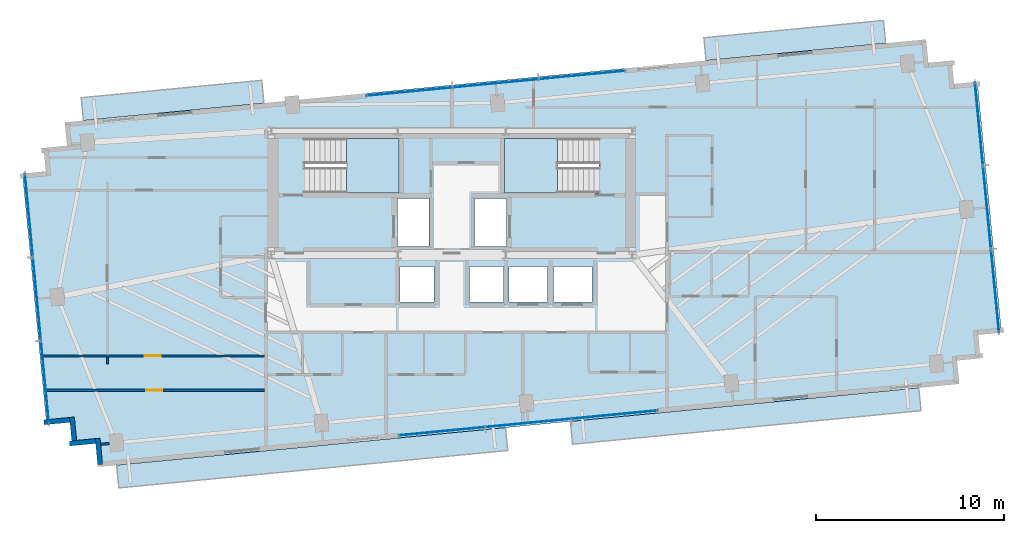
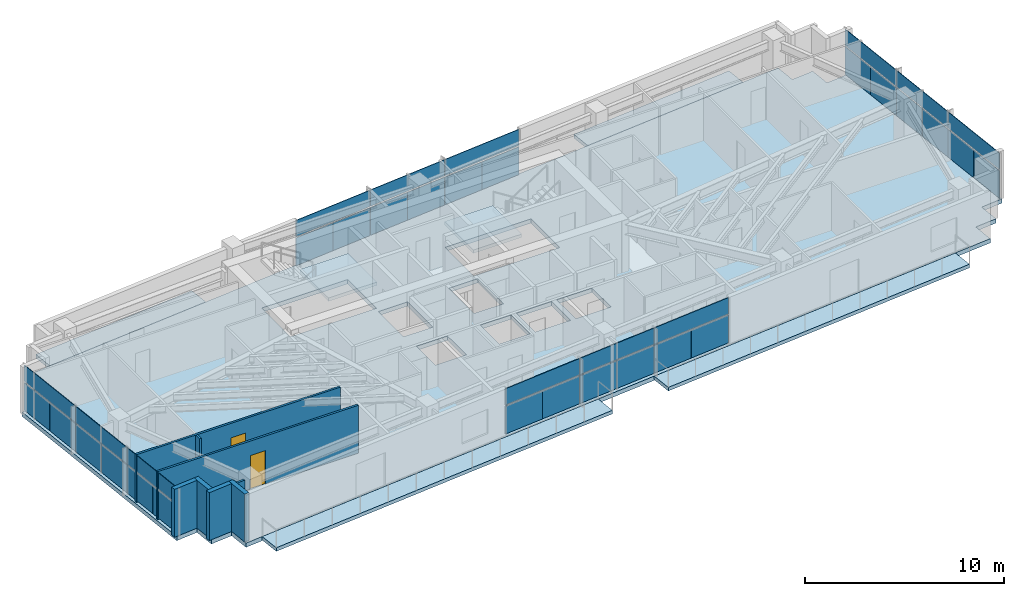
# One storey, part 12 of 18: 36 plates, 8 walls, 7 slabs, 2 doors, 2 openings, 6 elements without a shape of their own.
"""IFC4 building model written with IfcOpenShell, lengths in metres."""

import ifcopenshell
import ifcopenshell.guid

model = None  # the IFC model being written
_history = None  # IfcOwnerHistory: only IFC2X3 demands one
_inside = {}  # id of a spatial element -> (the spatial element, [elements in it])
_under = {}  # id of a project, library or spatial element -> (it, [spatial elements below it])
_declared = {}  # id of a project -> (the project, [libraries it declares])
_typed = {}  # id of a type object -> (the type object, [elements of that type])
_made_of = {}  # id of a material, layer set ... -> (it, [elements and type objects made of it])


def new_model(schema):
    """Start an empty IFC model of exactly this schema.

    Asked for "IFC4X3", IfcOpenShell would pick the latest addendum, in which some entities
    have other attributes; the version numbers below select the first issue.
    IFC2X3 requires an IfcOwnerHistory on every rooted entity: one is made here for all.
    """
    global model, _history
    if schema == "IFC4X3":
        model = ifcopenshell.file(schema_version=(4, 3, 0, 0))
    else:
        model = ifcopenshell.file(schema=schema)
    _inside.clear()
    _under.clear()
    _declared.clear()
    _typed.clear()
    _made_of.clear()
    _history = None
    if model.schema == "IFC2X3":
        org = make("IfcOrganization", Name="unknown")
        user = make(
            "IfcPersonAndOrganization",
            ThePerson=make("IfcPerson", FamilyName="unknown"),
            TheOrganization=org,
        )
        app = make(
            "IfcApplication",
            ApplicationDeveloper=org,
            Version="unknown",
            ApplicationFullName="unknown",
            ApplicationIdentifier="unknown",
        )
        _history = make(
            "IfcOwnerHistory",
            OwningUser=user,
            OwningApplication=app,
            ChangeAction="ADDED",
            CreationDate=0,
        )
    return model


def make(cls, **values):
    """One entity of the class cls with the attributes given. An attribute that is None is left unset."""
    return model.create_entity(
        cls, **{name: value for name, value in values.items() if value is not None}
    )


def rooted(cls, **values):
    """An entity with a GlobalId (a new one), such as an element, a storey or a relation."""
    return make(cls, GlobalId=ifcopenshell.guid.new(), OwnerHistory=_history, **values)


def si_unit(unit_type, name, prefix=None):
    """IfcSIUnit, for example si_unit("LENGTHUNIT", "METRE", prefix="MILLI")."""
    return make("IfcSIUnit", UnitType=unit_type, Prefix=prefix, Name=name)


def assignment(units):
    """IfcUnitAssignment: the units of a project."""
    return None if units is None else make("IfcUnitAssignment", Units=units)


def point(xyz):
    """IfcCartesianPoint."""
    return None if xyz is None else make("IfcCartesianPoint", Coordinates=xyz)


def direction(xyz):
    """IfcDirection."""
    return None if xyz is None else make("IfcDirection", DirectionRatios=xyz)


def frame(location, z_axis=None, x_axis=None):
    """IfcAxis2Placement3D, a coordinate frame: its origin and axes. An axis left out is left unset."""
    return make(
        "IfcAxis2Placement3D",
        Location=point(location),
        Axis=direction(z_axis),
        RefDirection=direction(x_axis),
    )


def frame_2d(location, x_axis=None):
    """IfcAxis2Placement2D, a coordinate frame in the plane: its origin and x axis."""
    return make(
        "IfcAxis2Placement2D", Location=point(location), RefDirection=direction(x_axis)
    )


def origin():
    """The frame at (0, 0, 0) with its axes left unset."""
    return frame((0.0, 0.0, 0.0))


def origin_2d():
    """The frame at (0, 0) in the plane with its x axis left unset."""
    return frame_2d((0.0, 0.0))


def place(relative_to, where):
    """IfcLocalPlacement: puts the frame where relative to a parent placement (None: the world)."""
    return make(
        "IfcLocalPlacement", PlacementRelTo=relative_to, RelativePlacement=where
    )


def context(
    kind, dimensions, precision=None, world=None, true_north=None, identifier=None
):
    """IfcGeometricRepresentationContext, for example the 3D "Model" context."""
    return make(
        "IfcGeometricRepresentationContext",
        ContextIdentifier=identifier,
        ContextType=kind,
        CoordinateSpaceDimension=dimensions,
        Precision=precision,
        WorldCoordinateSystem=world,
        TrueNorth=true_north,
    )


def subcontext(parent, identifier, kind, view, scale=None):
    """IfcGeometricRepresentationSubContext, for example "Body" below "Model"."""
    return make(
        "IfcGeometricRepresentationSubContext",
        ContextIdentifier=identifier,
        ContextType=kind,
        ParentContext=parent,
        TargetScale=scale,
        TargetView=view,
    )


def project(units=None, contexts=None):
    """IfcProject with its units and contexts."""
    return rooted(
        "IfcProject",
        Name="project",
        RepresentationContexts=contexts,
        UnitsInContext=assignment(units),
    )


def spatial(cls, under=None, at=None, **own):
    """A site, building, storey or space (cls), placed at a placement, below another one or the project."""
    s = rooted(cls, ObjectPlacement=at, **own)
    if under is not None:
        _under.setdefault(under.id(), (under, []))[1].append(s)
    return s


def polyline(points):
    """IfcPolyline through the points."""
    return make("IfcPolyline", Points=[point(p) for p in points])


def profile(cls, at=None, kind="AREA", **sizes):
    """A parametric profile (cls). Its sizes go by their IFC names, for example OverallWidth=200.0."""
    return make(cls, ProfileType=kind, Position=at, **sizes)


def rectangle(**sizes):
    """IfcRectangleProfileDef."""
    return profile("IfcRectangleProfileDef", **sizes)


def outline(outer, holes=None, kind="AREA"):
    """IfcArbitraryClosedProfileDef: a profile drawn as a closed curve; with holes, ...WithVoids."""
    if holes is None:
        return make("IfcArbitraryClosedProfileDef", ProfileType=kind, OuterCurve=outer)
    return make(
        "IfcArbitraryProfileDefWithVoids",
        ProfileType=kind,
        OuterCurve=outer,
        InnerCurves=holes,
    )


def extrude(swept, where, along, depth):
    """IfcExtrudedAreaSolid: the profile swept, set in the frame where, extruded along a direction by depth."""
    return make(
        "IfcExtrudedAreaSolid",
        SweptArea=swept,
        Position=where,
        ExtrudedDirection=direction(along),
        Depth=depth,
    )


def shape(context_of_items, identifier, shape_type, items):
    """IfcShapeRepresentation: the items that make up one representation, for example the "Body"."""
    return make(
        "IfcShapeRepresentation",
        ContextOfItems=context_of_items,
        RepresentationIdentifier=identifier,
        RepresentationType=shape_type,
        Items=items,
    )


def source(mapping_origin, context_of_items, identifier, shape_type, items):
    """IfcRepresentationMap: a shape defined once, which mapped items show again and again."""
    return make(
        "IfcRepresentationMap",
        MappingOrigin=mapping_origin,
        MappedRepresentation=shape(context_of_items, identifier, shape_type, items),
    )


def transform(
    local_origin,
    x_axis=None,
    y_axis=None,
    z_axis=None,
    scale=None,
    scale2=None,
    scale3=None,
    uniform=True,
):
    """IfcCartesianTransformationOperator3D, or its non-uniform kind. x_axis, y_axis, z_axis: its Axis1, 2, 3."""
    if uniform:
        return make(
            "IfcCartesianTransformationOperator3D",
            Axis1=direction(x_axis),
            Axis2=direction(y_axis),
            LocalOrigin=point(local_origin),
            Scale=scale,
            Axis3=direction(z_axis),
        )
    return make(
        "IfcCartesianTransformationOperator3DnonUniform",
        Axis1=direction(x_axis),
        Axis2=direction(y_axis),
        LocalOrigin=point(local_origin),
        Scale=scale,
        Axis3=direction(z_axis),
        Scale2=scale2,
        Scale3=scale3,
    )


def mapped(mapping_source, mapping_target):
    """IfcMappedItem: shows the shape of a source again, moved by a transform."""
    return make(
        "IfcMappedItem", MappingSource=mapping_source, MappingTarget=mapping_target
    )


def material(Name=None, Category=None):
    """IfcMaterial."""
    return make("IfcMaterial", Name=Name, Category=Category)


def layer(
    of_material, thickness, ventilated=None, Name=None, Category=None, Priority=None
):
    """IfcMaterialLayer: one layer of a wall or slab, of a material (None: an air gap)."""
    return make(
        "IfcMaterialLayer",
        Material=of_material,
        LayerThickness=thickness,
        IsVentilated=ventilated,
        Name=Name,
        Category=Category,
        Priority=Priority,
    )


def layer_set(layers, Name=None):
    """IfcMaterialLayerSet."""
    return make("IfcMaterialLayerSet", MaterialLayers=layers, LayerSetName=Name)


def made_of(thing, what):
    """Note that an element or type object is made of a material, layer set ...; save() writes the relation."""
    if what is not None:
        _made_of.setdefault(what.id(), (what, []))[1].append(thing)
    return thing


def type_object(cls, material=None, **own):
    """A type object (cls), such as IfcWallType, which elements share."""
    return made_of(rooted(cls, **own), material)


def type_shapes(of_type, sources):
    """Give a type object the sources (RepresentationMaps) that its elements show as mapped items."""
    of_type.RepresentationMaps = sources


def element(
    cls,
    number,
    at=None,
    inside=None,
    cuts=None,
    type_object=None,
    material=None,
    context=None,
    identifier="Body",
    shape_type=None,
    held_by="IfcProductDefinitionShape",
    body=None,
    shapes=None,
    **own,
):
    """One element of the class cls, such as IfcWall. Its Tag is "e" and its number.

    at: its placement. inside: the storey or other place that contains it. cuts: it is an
    opening in that element (IfcRelVoidsElement). A single representation is given by context,
    identifier, shape_type and body (its items); several are given by shapes. held_by: the class
    of the entity that holds the representations. save() writes the other relations.
    """
    e = rooted(cls, Tag="e%d" % number, ObjectPlacement=at, **own)
    if body is not None:
        shapes = [shape(context, identifier, shape_type, body)]
    if shapes is not None:
        e.Representation = make(held_by, Representations=shapes)
    if inside is not None:
        _inside.setdefault(inside.id(), (inside, []))[1].append(e)
    if cuts is not None:
        rooted(
            "IfcRelVoidsElement", RelatingBuildingElement=cuts, RelatedOpeningElement=e
        )
    if type_object is not None:
        _typed.setdefault(type_object.id(), (type_object, []))[1].append(e)
    return made_of(e, material)


def fill(opening, filler):
    """IfcRelFillsElement: the door or window that sits in an opening."""
    return rooted(
        "IfcRelFillsElement",
        RelatingOpeningElement=opening,
        RelatedBuildingElement=filler,
    )


def aggregate(whole, parts):
    """IfcRelAggregates: a whole, such as a stair, and the parts it consists of."""
    return rooted("IfcRelAggregates", RelatingObject=whole, RelatedObjects=parts)


def save(model, path):
    """Write the relations noted so far, then the file.

    IfcRelAggregates (storeys below a building ...), IfcRelContainedInSpatialStructure (elements
    in a storey), IfcRelDefinesByType, IfcRelAssociatesMaterial and IfcRelDeclares: one each for
    every whole, place, type object, material and project.
    """
    for whole, parts in _under.values():
        aggregate(whole, parts)
    for where, things in _inside.values():
        rooted(
            "IfcRelContainedInSpatialStructure",
            RelatedElements=things,
            RelatingStructure=where,
        )
    for kind, things in _typed.values():
        rooted("IfcRelDefinesByType", RelatedObjects=things, RelatingType=kind)
    for what, things in _made_of.values():
        rooted("IfcRelAssociatesMaterial", RelatedObjects=things, RelatingMaterial=what)
    for by, libraries in _declared.values():
        rooted("IfcRelDeclares", RelatingContext=by, RelatedDefinitions=libraries)
    model.write(path)


model = new_model("IFC4")

# Units and contexts
model_context = context("Model", 3, precision=1e-05, world=origin(), true_north=direction((0.0, 1.0)))
body_context = subcontext(model_context, "Body", "Model", "MODEL_VIEW")
ifc_project = project(units=[si_unit("LENGTHUNIT", "METRE"), si_unit("AREAUNIT", "SQUARE_METRE"), si_unit("VOLUMEUNIT", "CUBIC_METRE"), si_unit("PLANEANGLEUNIT", "RADIAN"), si_unit("MASSUNIT", "GRAM", prefix="KILO")], contexts=[model_context])

# Site, building, storey
site_placement = place(None, origin())
site = spatial("IfcSite", under=ifc_project, at=site_placement, CompositionType="ELEMENT")
building_placement = place(site_placement, origin())
building = spatial("IfcBuilding", under=site, at=building_placement, Name="Astriad Promenade Condominiums", CompositionType="ELEMENT")
storey_placement = place(building_placement, frame((0.0, 0.0, 185.800048828125)))
storey = spatial("IfcBuildingStorey", under=building, at=storey_placement, Name="L53", CompositionType="ELEMENT", Elevation=185.800048828125)

# Slab
ifc_material_1 = material(Name="Concrete C50/60", Category="concrete")
ifc_layer_1 = layer(ifc_material_1, 0.260009765625)
ifc_layer_set_1 = layer_set([ifc_layer_1], Name="Concrete C50/60")
slab_type_1 = type_object("IfcSlabType", Name="CONCRETE TOWER FLOOR SLAB 260", PredefinedType="FLOOR", material=ifc_layer_set_1)
slab_1_placement = place(storey_placement, frame((0.0, 0.0, -0.260009765625)))
element("IfcSlab", 1, at=slab_1_placement, inside=storey, type_object=slab_type_1, Name="Structural Floor Slab (L53)", PredefinedType="FLOOR", context=body_context, shape_type="SweptSolid", body=[
    extrude(outline(polyline([(17.187744140625, 6.137939453125), (62.975830078125, 10.546875), (62.856201171875, 11.791015625), (64.100341796875, 11.910888671875), (63.98046875, 13.155029296875), (65.224853515625, 13.27490234375), (63.9404296875, 26.61328125), (62.6962890625, 26.493408203125), (62.576416015625, 27.73779296875), (61.33203125, 27.617919921875), (61.21240234375, 28.862060546875), (15.424072265625, 24.453125), (15.5439453125, 23.208984375), (14.2998046875, 23.089111328125), (14.41943359375, 21.844970703125), (13.17529296875, 21.72509765625), (14.459716796875, 8.38671875), (15.703857421875, 8.506591796875), (15.823486328125, 7.26220703125), (17.06787109375, 7.382080078125), (17.187744140625, 6.137939453125)]), holes=[polyline([(28.175048828125, 20.699951171875), (33.175048828125, 20.699951171875), (33.175048828125, 23.60009765625), (28.175048828125, 23.60009765625), (28.175048828125, 20.699951171875)]), polyline([(38.824951171875, 20.699951171875), (43.824951171875, 20.699951171875), (43.824951171875, 23.60009765625), (38.824951171875, 23.60009765625), (38.824951171875, 20.699951171875)]), polyline([(33.10009765625, 17.85009765625), (34.800048828125, 17.85009765625), (34.800048828125, 20.39990234375), (33.10009765625, 20.39990234375), (33.10009765625, 17.85009765625)]), polyline([(37.199951171875, 17.85009765625), (38.89990234375, 17.85009765625), (38.89990234375, 20.39990234375), (37.199951171875, 20.39990234375), (37.199951171875, 17.85009765625)]), polyline([(33.25, 14.89990234375), (35.050048828125, 14.89990234375), (35.050048828125, 16.800048828125), (33.25, 16.800048828125), (33.25, 14.89990234375)]), polyline([(36.949951171875, 14.89990234375), (38.75, 14.89990234375), (38.75, 16.800048828125), (36.949951171875, 16.800048828125), (36.949951171875, 14.89990234375)]), polyline([(39.050048828125, 14.89990234375), (41.10009765625, 14.89990234375), (41.10009765625, 16.800048828125), (39.050048828125, 16.800048828125), (39.050048828125, 14.89990234375)]), polyline([(41.39990234375, 14.89990234375), (43.449951171875, 14.89990234375), (43.449951171875, 16.800048828125), (41.39990234375, 16.800048828125), (41.39990234375, 14.89990234375)])]), origin(), (0.0, 0.0, 1.0), 0.260009765625),
])

# Stair, slab
stair_type = type_object("IfcStairType", Name="STR-CORE-1350", PredefinedType="HALF_TURN_STAIR", material=ifc_material_1)
stair_1_placement = place(storey_placement, origin())
stair_1 = element("IfcStair", 2, at=stair_1_placement, inside=storey, type_object=stair_type, Name="L53 Enclosed Core Exit Stair ST-1", PredefinedType="HALF_TURN_STAIR")
ifc_layer_2 = layer(ifc_material_1, 0.219970703125)
ifc_layer_set_2 = layer_set([ifc_layer_2], Name="Concrete C50/60")
slab_type_2 = type_object("IfcSlabType", Name="SLB-LANDING-220", PredefinedType="LANDING", material=ifc_layer_set_2)
slab_2_placement = place(storey_placement, frame((0.0, 0.0, 1.39990234375)))
slab_2 = element("IfcSlab", 3, at=slab_2_placement, type_object=slab_type_2, Name="ST-1 landing 1", PredefinedType="LANDING", context=body_context, shape_type="SweptSolid", body=[
    extrude(outline(polyline([(30.389892578125, 20.699951171875), (33.199951171875, 20.699951171875), (33.199951171875, 23.60009765625), (30.389892578125, 23.60009765625), (30.389892578125, 20.699951171875)])), origin(), (0.0, 0.0, 1.0), 0.199951171875),
])
aggregate(stair_1, [slab_2])

stair_2_placement = place(storey_placement, origin())
stair_2 = element("IfcStair", 4, at=stair_2_placement, inside=storey, type_object=stair_type, Name="L53 Enclosed Core Exit Stair ST-2", PredefinedType="HALF_TURN_STAIR")
slab_3_placement = place(storey_placement, frame((0.0, 0.0, 1.39990234375)))
slab_3 = element("IfcSlab", 5, at=slab_3_placement, type_object=slab_type_2, Name="ST-2 landing 1", PredefinedType="LANDING", context=body_context, shape_type="SweptSolid", body=[
    extrude(outline(polyline([(41.610107421875, 23.60009765625), (38.800048828125, 23.60009765625), (38.800048828125, 20.699951171875), (41.610107421875, 20.699951171875), (41.610107421875, 23.60009765625)])), origin(), (0.0, 0.0, 1.0), 0.199951171875),
])
aggregate(stair_2, [slab_3])

# Slabs
ifc_material_2 = material(Name="Precast concrete C50/60", Category="concrete")
ifc_layer_3 = layer(ifc_material_2, 0.219970703125)
ifc_layer_set_3 = layer_set([ifc_layer_3], Name="Precast concrete C50/60")
slab_type_3 = type_object("IfcSlabType", Name="WHITE PRECAST CONCRETE WAVE BALCONY SLAB 220", PredefinedType="FLOOR", material=ifc_layer_set_3)
slab_4_placement = place(storey_placement, frame((0.0, 0.0, -0.219970703125)))
element("IfcSlab", 6, at=slab_4_placement, inside=storey, type_object=slab_type_3, Name="White Precast Wave Balcony Slab BAL-L53-SW", PredefinedType="FLOOR", context=body_context, shape_type="SweptSolid", body=[
    extrude(outline(polyline([(38.972412109375, 7.010009765625), (18.298095703125, 5.019287109375), (18.181396484375, 6.231689453125), (38.855712890625, 8.222412109375), (38.972412109375, 7.010009765625)])), origin(), (0.0, 0.0, 1.0), 0.219970703125),
])
slab_5_placement = place(storey_placement, frame((0.0, 0.0, -0.219970703125)))
element("IfcSlab", 7, at=slab_5_placement, inside=storey, type_object=slab_type_3, Name="White Precast Wave Balcony Slab BAL-L53-SE", PredefinedType="FLOOR", context=body_context, shape_type="SweptSolid", body=[
    extrude(outline(polyline([(60.94189453125, 9.125244140625), (42.41552734375, 7.34130859375), (42.298583984375, 8.5537109375), (60.824951171875, 10.337646484375), (60.94189453125, 9.125244140625)])), origin(), (0.0, 0.0, 1.0), 0.219970703125),
])
slab_6_placement = place(storey_placement, frame((0.0, 0.0, -0.219970703125)))
element("IfcSlab", 8, at=slab_6_placement, inside=storey, type_object=slab_type_3, Name="White Precast Wave Balcony Slab BAL-L53-NW", PredefinedType="FLOOR", context=body_context, shape_type="SweptSolid", body=[
    extrude(outline(polyline([(16.300537109375, 25.76318359375), (25.898193359375, 26.6875), (26.014892578125, 25.47509765625), (16.417236328125, 24.55078125), (16.300537109375, 25.76318359375)])), origin(), (0.0, 0.0, 1.0), 0.219970703125),
])
slab_7_placement = place(storey_placement, frame((0.0, 0.0, -0.219970703125)))
element("IfcSlab", 9, at=slab_7_placement, inside=storey, type_object=slab_type_3, Name="White Precast Wave Balcony Slab BAL-L53-NE", PredefinedType="FLOOR", context=body_context, shape_type="SweptSolid", body=[
    extrude(outline(polyline([(49.3994140625, 28.9501953125), (58.9443359375, 29.869384765625), (59.06103515625, 28.656982421875), (49.51611328125, 27.73779296875), (49.3994140625, 28.9501953125)])), origin(), (0.0, 0.0, 1.0), 0.219970703125),
])

# Curtain wall, plates
ifc_material_3 = material(Name="Anodised aluminium Black Dark Glass Unitised", Category="aluminium")
curtain_wall_type = type_object("IfcCurtainWallType", Name="CW-B34-DARK", PredefinedType="USERDEFINED", material=ifc_material_3)
curtain_wall_1_placement = place(storey_placement, origin())
curtain_wall_1 = element("IfcCurtainWall", 10, at=curtain_wall_1_placement, inside=storey, type_object=curtain_wall_type, Name="CW-L53-W", ObjectType="UNITISED_CURTAIN_WALL", PredefinedType="USERDEFINED")
ifc_material_4 = material(Name="Dark Tinted Low-E Laminated Glass", Category="glass")
ifc_layer_4 = layer(ifc_material_4, 0.035888671875)
ifc_layer_set_4 = layer_set([ifc_layer_4], Name="Dark Tinted Low-E Laminated Glass")
plate_type = type_object("IfcPlateType", Name="PNL-DARK-GLASS-36", PredefinedType="CURTAIN_PANEL", material=ifc_layer_set_4)
shared_shape_1 = source(origin(), body_context, "Body", "SweptSolid", [
    extrude(rectangle(XDim=2.22119140625, YDim=0.035888671875, at=origin_2d()), origin(), (0.0, 0.0, 1.0), 1.702880859375),
])
plate_1_placement = place(storey_placement, frame((14.48193359375, 9.5107421875, 0.080078125), z_axis=(0.0, 0.0, 1.0), x_axis=(-0.09584575252, 0.995396198367, 0.0)))
plate_1 = element("IfcPlate", 11, at=plate_1_placement, type_object=plate_type, Name="CW-L53-W-PNL-00-VL", PredefinedType="CURTAIN_PANEL", context=body_context, shape_type="MappedRepresentation", body=[
    mapped(shared_shape_1, transform((0.0, 0.0, 0.0), scale=1.0)),
])
plate_2_placement = place(storey_placement, frame((14.267822265625, 11.73388671875, 0.080078125), z_axis=(0.0, 0.0, 1.0), x_axis=(-0.09584575252, 0.995396198367, 0.0)))
plate_2 = element("IfcPlate", 12, at=plate_2_placement, type_object=plate_type, Name="CW-L53-W-PNL-00-VR", PredefinedType="CURTAIN_PANEL", context=body_context, shape_type="MappedRepresentation", body=[
    mapped(shared_shape_1, transform((0.0, 0.0, 0.0), scale=1.0)),
])
plate_3_placement = place(storey_placement, frame((14.053955078125, 13.956787109375, 0.080078125), z_axis=(0.0, 0.0, 1.0), x_axis=(-0.09584575252, 0.995396198367, 0.0)))
plate_3 = element("IfcPlate", 13, at=plate_3_placement, type_object=plate_type, Name="CW-L53-W-PNL-01-VL", PredefinedType="CURTAIN_PANEL", context=body_context, shape_type="MappedRepresentation", body=[
    mapped(shared_shape_1, transform((0.0, 0.0, 0.0), scale=1.0)),
])
plate_4_placement = place(storey_placement, frame((13.839599609375, 16.179931640625, 0.080078125), z_axis=(0.0, 0.0, 1.0), x_axis=(-0.09584575252, 0.995396198367, 0.0)))
plate_4 = element("IfcPlate", 14, at=plate_4_placement, type_object=plate_type, Name="CW-L53-W-PNL-01-VR", PredefinedType="CURTAIN_PANEL", context=body_context, shape_type="MappedRepresentation", body=[
    mapped(shared_shape_1, transform((0.0, 0.0, 0.0), scale=1.0)),
])
plate_5_placement = place(storey_placement, frame((13.625732421875, 18.403076171875, 0.080078125), z_axis=(0.0, 0.0, 1.0), x_axis=(-0.09584575252, 0.995396198367, 0.0)))
plate_5 = element("IfcPlate", 15, at=plate_5_placement, type_object=plate_type, Name="CW-L53-W-PNL-02-VL", PredefinedType="CURTAIN_PANEL", context=body_context, shape_type="MappedRepresentation", body=[
    mapped(shared_shape_1, transform((0.0, 0.0, 0.0), scale=1.0)),
])
plate_6_placement = place(storey_placement, frame((13.41162109375, 20.626220703125, 0.080078125), z_axis=(0.0, 0.0, 1.0), x_axis=(-0.09584575252, 0.995396198367, 0.0)))
plate_6 = element("IfcPlate", 16, at=plate_6_placement, type_object=plate_type, Name="CW-L53-W-PNL-02-VR", PredefinedType="CURTAIN_PANEL", context=body_context, shape_type="MappedRepresentation", body=[
    mapped(shared_shape_1, transform((0.0, 0.0, 0.0), scale=1.0)),
])

curtain_wall_2_placement = place(storey_placement, origin())
curtain_wall_2 = element("IfcCurtainWall", 17, at=curtain_wall_2_placement, inside=storey, type_object=curtain_wall_type, Name="CW-L53-E", ObjectType="UNITISED_CURTAIN_WALL", PredefinedType="USERDEFINED")
plate_7_placement = place(storey_placement, frame((63.91796875, 25.4892578125, 0.080078125), z_axis=(0.0, 0.0, 1.0), x_axis=(0.09584575252, -0.995396198367, 0.0)))
plate_7 = element("IfcPlate", 18, at=plate_7_placement, type_object=plate_type, Name="CW-L53-E-PNL-00-VL", PredefinedType="CURTAIN_PANEL", context=body_context, shape_type="MappedRepresentation", body=[
    mapped(shared_shape_1, transform((0.0, 0.0, 0.0), scale=1.0)),
])
plate_8_placement = place(storey_placement, frame((64.132080078125, 23.26611328125, 0.080078125), z_axis=(0.0, 0.0, 1.0), x_axis=(0.09584575252, -0.995396198367, 0.0)))
plate_8 = element("IfcPlate", 19, at=plate_8_placement, type_object=plate_type, Name="CW-L53-E-PNL-00-VR", PredefinedType="CURTAIN_PANEL", context=body_context, shape_type="MappedRepresentation", body=[
    mapped(shared_shape_1, transform((0.0, 0.0, 0.0), scale=1.0)),
])
plate_9_placement = place(storey_placement, frame((64.34619140625, 21.043212890625, 0.080078125), z_axis=(0.0, 0.0, 1.0), x_axis=(0.09584575252, -0.995396198367, 0.0)))
plate_9 = element("IfcPlate", 20, at=plate_9_placement, type_object=plate_type, Name="CW-L53-E-PNL-01-VL", PredefinedType="CURTAIN_PANEL", context=body_context, shape_type="MappedRepresentation", body=[
    mapped(shared_shape_1, transform((0.0, 0.0, 0.0), scale=1.0)),
])
plate_10_placement = place(storey_placement, frame((64.560302734375, 18.820068359375, 0.080078125), z_axis=(0.0, 0.0, 1.0), x_axis=(0.09584575252, -0.995396198367, 0.0)))
plate_10 = element("IfcPlate", 21, at=plate_10_placement, type_object=plate_type, Name="CW-L53-E-PNL-01-VR", PredefinedType="CURTAIN_PANEL", context=body_context, shape_type="MappedRepresentation", body=[
    mapped(shared_shape_1, transform((0.0, 0.0, 0.0), scale=1.0)),
])
plate_11_placement = place(storey_placement, frame((64.7744140625, 16.596923828125, 0.080078125), z_axis=(0.0, 0.0, 1.0), x_axis=(0.09584575252, -0.995396198367, 0.0)))
plate_11 = element("IfcPlate", 22, at=plate_11_placement, type_object=plate_type, Name="CW-L53-E-PNL-02-VL", PredefinedType="CURTAIN_PANEL", context=body_context, shape_type="MappedRepresentation", body=[
    mapped(shared_shape_1, transform((0.0, 0.0, 0.0), scale=1.0)),
])
plate_12_placement = place(storey_placement, frame((64.98828125, 14.373779296875, 0.080078125), z_axis=(0.0, 0.0, 1.0), x_axis=(0.09584575252, -0.995396198367, 0.0)))
plate_12 = element("IfcPlate", 23, at=plate_12_placement, type_object=plate_type, Name="CW-L53-E-PNL-02-VR", PredefinedType="CURTAIN_PANEL", context=body_context, shape_type="MappedRepresentation", body=[
    mapped(shared_shape_1, transform((0.0, 0.0, 0.0), scale=1.0)),
])

# Plate
shared_shape_2 = source(origin(), body_context, "Body", "SweptSolid", [
    extrude(rectangle(XDim=4.45458984375, YDim=0.035888671875, at=origin_2d()), origin(), (0.0, 0.0, 1.0), 0.997314453125),
])
plate_13_placement = place(storey_placement, frame((14.375, 10.622314453125, 1.86279296875), z_axis=(0.0, 0.0, 1.0), x_axis=(-0.09584575252, 0.995396198367, 0.0)))
plate_13 = element("IfcPlate", 24, at=plate_13_placement, type_object=plate_type, Name="CW-L53-W-PNL-00-S", PredefinedType="CURTAIN_PANEL", context=body_context, shape_type="MappedRepresentation", body=[
    mapped(shared_shape_2, transform((0.0, 0.0, 0.0), scale=1.0)),
])

plate_14_placement = place(storey_placement, frame((13.94677734375, 15.068359375, 1.86279296875), z_axis=(0.0, 0.0, 1.0), x_axis=(-0.09584575252, 0.995396198367, 0.0)))
plate_14 = element("IfcPlate", 25, at=plate_14_placement, type_object=plate_type, Name="CW-L53-W-PNL-01-S", PredefinedType="CURTAIN_PANEL", context=body_context, shape_type="MappedRepresentation", body=[
    mapped(shared_shape_2, transform((0.0, 0.0, 0.0), scale=1.0)),
])

plate_15_placement = place(storey_placement, frame((13.518798828125, 19.514404296875, 1.86279296875), z_axis=(0.0, 0.0, 1.0), x_axis=(-0.09584575252, 0.995396198367, 0.0)))
plate_15 = element("IfcPlate", 26, at=plate_15_placement, type_object=plate_type, Name="CW-L53-W-PNL-02-S", PredefinedType="CURTAIN_PANEL", context=body_context, shape_type="MappedRepresentation", body=[
    mapped(shared_shape_2, transform((0.0, 0.0, 0.0), scale=1.0)),
])

aggregate(curtain_wall_1, [plate_1, plate_2, plate_13, plate_3, plate_4, plate_14, plate_5, plate_6, plate_15])

plate_16_placement = place(storey_placement, frame((64.02490234375, 24.377685546875, 1.86279296875), z_axis=(0.0, 0.0, 1.0), x_axis=(0.09584575252, -0.995396198367, 0.0)))
plate_16 = element("IfcPlate", 27, at=plate_16_placement, type_object=plate_type, Name="CW-L53-E-PNL-00-S", PredefinedType="CURTAIN_PANEL", context=body_context, shape_type="MappedRepresentation", body=[
    mapped(shared_shape_2, transform((0.0, 0.0, 0.0), scale=1.0)),
])

plate_17_placement = place(storey_placement, frame((64.453125, 19.931640625, 1.86279296875), z_axis=(0.0, 0.0, 1.0), x_axis=(0.09584575252, -0.995396198367, 0.0)))
plate_17 = element("IfcPlate", 28, at=plate_17_placement, type_object=plate_type, Name="CW-L53-E-PNL-01-S", PredefinedType="CURTAIN_PANEL", context=body_context, shape_type="MappedRepresentation", body=[
    mapped(shared_shape_2, transform((0.0, 0.0, 0.0), scale=1.0)),
])

plate_18_placement = place(storey_placement, frame((64.88134765625, 15.485595703125, 1.86279296875), z_axis=(0.0, 0.0, 1.0), x_axis=(0.09584575252, -0.995396198367, 0.0)))
plate_18 = element("IfcPlate", 29, at=plate_18_placement, type_object=plate_type, Name="CW-L53-E-PNL-02-S", PredefinedType="CURTAIN_PANEL", context=body_context, shape_type="MappedRepresentation", body=[
    mapped(shared_shape_2, transform((0.0, 0.0, 0.0), scale=1.0)),
])

aggregate(curtain_wall_2, [plate_7, plate_8, plate_16, plate_9, plate_10, plate_17, plate_11, plate_12, plate_18])

# Curtain wall, plates
curtain_wall_3_placement = place(storey_placement, origin())
curtain_wall_3 = element("IfcCurtainWall", 30, at=curtain_wall_3_placement, inside=storey, type_object=curtain_wall_type, Name="CW-L53-N", ObjectType="UNITISED_CURTAIN_WALL", PredefinedType="USERDEFINED")
shared_shape_3 = source(origin(), body_context, "Body", "SweptSolid", [
    extrude(rectangle(XDim=2.2880859375, YDim=0.035888671875, at=origin_2d()), origin(), (0.0, 0.0, 1.0), 1.702880859375),
])
plate_19_placement = place(storey_placement, frame((32.607177734375, 25.97705078125, 0.080078125), z_axis=(0.0, 0.0, 1.0), x_axis=(0.995396198367, 0.09584575252, 0.0)))
plate_19 = element("IfcPlate", 31, at=plate_19_placement, type_object=plate_type, Name="CW-L53-N-PNL-00-VL", PredefinedType="CURTAIN_PANEL", context=body_context, shape_type="MappedRepresentation", body=[
    mapped(shared_shape_3, transform((0.0, 0.0, 0.0), scale=1.0)),
])
plate_20_placement = place(storey_placement, frame((34.896484375, 26.197509765625, 0.080078125), z_axis=(0.0, 0.0, 1.0), x_axis=(0.995396198367, 0.09584575252, 0.0)))
plate_20 = element("IfcPlate", 32, at=plate_20_placement, type_object=plate_type, Name="CW-L53-N-PNL-00-VR", PredefinedType="CURTAIN_PANEL", context=body_context, shape_type="MappedRepresentation", body=[
    mapped(shared_shape_3, transform((0.0, 0.0, 0.0), scale=1.0)),
])
plate_21_placement = place(storey_placement, frame((37.18603515625, 26.41796875, 0.080078125), z_axis=(0.0, 0.0, 1.0), x_axis=(0.995396198367, 0.09584575252, 0.0)))
plate_21 = element("IfcPlate", 33, at=plate_21_placement, type_object=plate_type, Name="CW-L53-N-PNL-01-VL", PredefinedType="CURTAIN_PANEL", context=body_context, shape_type="MappedRepresentation", body=[
    mapped(shared_shape_3, transform((0.0, 0.0, 0.0), scale=1.0)),
])
plate_22_placement = place(storey_placement, frame((39.475341796875, 26.638427734375, 0.080078125), z_axis=(0.0, 0.0, 1.0), x_axis=(0.995396198367, 0.09584575252, 0.0)))
plate_22 = element("IfcPlate", 34, at=plate_22_placement, type_object=plate_type, Name="CW-L53-N-PNL-01-VR", PredefinedType="CURTAIN_PANEL", context=body_context, shape_type="MappedRepresentation", body=[
    mapped(shared_shape_3, transform((0.0, 0.0, 0.0), scale=1.0)),
])
plate_23_placement = place(storey_placement, frame((41.764892578125, 26.85888671875, 0.080078125), z_axis=(0.0, 0.0, 1.0), x_axis=(0.995396198367, 0.09584575252, 0.0)))
plate_23 = element("IfcPlate", 35, at=plate_23_placement, type_object=plate_type, Name="CW-L53-N-PNL-02-VL", PredefinedType="CURTAIN_PANEL", context=body_context, shape_type="MappedRepresentation", body=[
    mapped(shared_shape_3, transform((0.0, 0.0, 0.0), scale=1.0)),
])
plate_24_placement = place(storey_placement, frame((44.05419921875, 27.079345703125, 0.080078125), z_axis=(0.0, 0.0, 1.0), x_axis=(0.995396198367, 0.09584575252, 0.0)))
plate_24 = element("IfcPlate", 36, at=plate_24_placement, type_object=plate_type, Name="CW-L53-N-PNL-02-VR", PredefinedType="CURTAIN_PANEL", context=body_context, shape_type="MappedRepresentation", body=[
    mapped(shared_shape_3, transform((0.0, 0.0, 0.0), scale=1.0)),
])

curtain_wall_4_placement = place(storey_placement, origin())
curtain_wall_4 = element("IfcCurtainWall", 37, at=curtain_wall_4_placement, inside=storey, type_object=curtain_wall_type, Name="CW-L53-S", ObjectType="UNITISED_CURTAIN_WALL", PredefinedType="USERDEFINED")
plate_25_placement = place(storey_placement, frame((45.792724609375, 9.02294921875, 0.080078125), z_axis=(0.0, 0.0, 1.0), x_axis=(-0.995396198367, -0.09584575252, 0.0)))
plate_25 = element("IfcPlate", 38, at=plate_25_placement, type_object=plate_type, Name="CW-L53-S-PNL-00-VL", PredefinedType="CURTAIN_PANEL", context=body_context, shape_type="MappedRepresentation", body=[
    mapped(shared_shape_3, transform((0.0, 0.0, 0.0), scale=1.0)),
])
plate_26_placement = place(storey_placement, frame((43.50341796875, 8.802490234375, 0.080078125), z_axis=(0.0, 0.0, 1.0), x_axis=(-0.995396198367, -0.09584575252, 0.0)))
plate_26 = element("IfcPlate", 39, at=plate_26_placement, type_object=plate_type, Name="CW-L53-S-PNL-00-VR", PredefinedType="CURTAIN_PANEL", context=body_context, shape_type="MappedRepresentation", body=[
    mapped(shared_shape_3, transform((0.0, 0.0, 0.0), scale=1.0)),
])
plate_27_placement = place(storey_placement, frame((41.214111328125, 8.58203125, 0.080078125), z_axis=(0.0, 0.0, 1.0), x_axis=(-0.995396198367, -0.09584575252, 0.0)))
plate_27 = element("IfcPlate", 40, at=plate_27_placement, type_object=plate_type, Name="CW-L53-S-PNL-01-VL", PredefinedType="CURTAIN_PANEL", context=body_context, shape_type="MappedRepresentation", body=[
    mapped(shared_shape_3, transform((0.0, 0.0, 0.0), scale=1.0)),
])
plate_28_placement = place(storey_placement, frame((38.924560546875, 8.361572265625, 0.080078125), z_axis=(0.0, 0.0, 1.0), x_axis=(-0.995396198367, -0.09584575252, 0.0)))
plate_28 = element("IfcPlate", 41, at=plate_28_placement, type_object=plate_type, Name="CW-L53-S-PNL-01-VR", PredefinedType="CURTAIN_PANEL", context=body_context, shape_type="MappedRepresentation", body=[
    mapped(shared_shape_3, transform((0.0, 0.0, 0.0), scale=1.0)),
])
plate_29_placement = place(storey_placement, frame((36.63525390625, 8.14111328125, 0.080078125), z_axis=(0.0, 0.0, 1.0), x_axis=(-0.995396198367, -0.09584575252, 0.0)))
plate_29 = element("IfcPlate", 42, at=plate_29_placement, type_object=plate_type, Name="CW-L53-S-PNL-02-VL", PredefinedType="CURTAIN_PANEL", context=body_context, shape_type="MappedRepresentation", body=[
    mapped(shared_shape_3, transform((0.0, 0.0, 0.0), scale=1.0)),
])
plate_30_placement = place(storey_placement, frame((34.345703125, 7.920654296875, 0.080078125), z_axis=(0.0, 0.0, 1.0), x_axis=(-0.995396198367, -0.09584575252, 0.0)))
plate_30 = element("IfcPlate", 43, at=plate_30_placement, type_object=plate_type, Name="CW-L53-S-PNL-02-VR", PredefinedType="CURTAIN_PANEL", context=body_context, shape_type="MappedRepresentation", body=[
    mapped(shared_shape_3, transform((0.0, 0.0, 0.0), scale=1.0)),
])

# Plate
shared_shape_4 = source(origin(), body_context, "Body", "SweptSolid", [
    extrude(rectangle(XDim=4.587890625, YDim=0.035888671875, at=origin_2d()), origin(), (0.0, 0.0, 1.0), 0.997314453125),
])
type_shapes(plate_type, [shared_shape_1, shared_shape_2, shared_shape_3, shared_shape_4])
plate_31_placement = place(storey_placement, frame((33.751953125, 26.08740234375, 1.86279296875), z_axis=(0.0, 0.0, 1.0), x_axis=(0.995396198367, 0.09584575252, 0.0)))
plate_31 = element("IfcPlate", 44, at=plate_31_placement, type_object=plate_type, Name="CW-L53-N-PNL-00-S", PredefinedType="CURTAIN_PANEL", context=body_context, shape_type="MappedRepresentation", body=[
    mapped(shared_shape_4, transform((0.0, 0.0, 0.0), scale=1.0)),
])

plate_32_placement = place(storey_placement, frame((38.330810546875, 26.5283203125, 1.86279296875), z_axis=(0.0, 0.0, 1.0), x_axis=(0.995396198367, 0.09584575252, 0.0)))
plate_32 = element("IfcPlate", 45, at=plate_32_placement, type_object=plate_type, Name="CW-L53-N-PNL-01-S", PredefinedType="CURTAIN_PANEL", context=body_context, shape_type="MappedRepresentation", body=[
    mapped(shared_shape_4, transform((0.0, 0.0, 0.0), scale=1.0)),
])

plate_33_placement = place(storey_placement, frame((42.909423828125, 26.968994140625, 1.86279296875), z_axis=(0.0, 0.0, 1.0), x_axis=(0.995396198367, 0.09584575252, 0.0)))
plate_33 = element("IfcPlate", 46, at=plate_33_placement, type_object=plate_type, Name="CW-L53-N-PNL-02-S", PredefinedType="CURTAIN_PANEL", context=body_context, shape_type="MappedRepresentation", body=[
    mapped(shared_shape_4, transform((0.0, 0.0, 0.0), scale=1.0)),
])

aggregate(curtain_wall_3, [plate_19, plate_20, plate_31, plate_21, plate_22, plate_32, plate_23, plate_24, plate_33])

plate_34_placement = place(storey_placement, frame((44.648193359375, 8.91259765625, 1.86279296875), z_axis=(0.0, 0.0, 1.0), x_axis=(-0.995396198367, -0.09584575252, 0.0)))
plate_34 = element("IfcPlate", 47, at=plate_34_placement, type_object=plate_type, Name="CW-L53-S-PNL-00-S", PredefinedType="CURTAIN_PANEL", context=body_context, shape_type="MappedRepresentation", body=[
    mapped(shared_shape_4, transform((0.0, 0.0, 0.0), scale=1.0)),
])

plate_35_placement = place(storey_placement, frame((40.0693359375, 8.4716796875, 1.86279296875), z_axis=(0.0, 0.0, 1.0), x_axis=(-0.995396198367, -0.09584575252, 0.0)))
plate_35 = element("IfcPlate", 48, at=plate_35_placement, type_object=plate_type, Name="CW-L53-S-PNL-01-S", PredefinedType="CURTAIN_PANEL", context=body_context, shape_type="MappedRepresentation", body=[
    mapped(shared_shape_4, transform((0.0, 0.0, 0.0), scale=1.0)),
])

plate_36_placement = place(storey_placement, frame((35.490478515625, 8.031005859375, 1.86279296875), z_axis=(0.0, 0.0, 1.0), x_axis=(-0.995396198367, -0.09584575252, 0.0)))
plate_36 = element("IfcPlate", 49, at=plate_36_placement, type_object=plate_type, Name="CW-L53-S-PNL-02-S", PredefinedType="CURTAIN_PANEL", context=body_context, shape_type="MappedRepresentation", body=[
    mapped(shared_shape_4, transform((0.0, 0.0, 0.0), scale=1.0)),
])

aggregate(curtain_wall_4, [plate_25, plate_26, plate_34, plate_27, plate_28, plate_35, plate_29, plate_30, plate_36])

# Walls
ifc_layer_5 = layer(ifc_material_2, 0.260009765625)
ifc_layer_set_5 = layer_set([ifc_layer_5], Name="Precast concrete C50/60")
wall_type_1 = type_object("IfcWallType", Name="WALL-EXT-TWR-260", PredefinedType="STANDARD", material=ifc_layer_set_5)
wall_1_placement = place(storey_placement, frame((17.0703125, 7.512939453125, 0.0), z_axis=(0.0, 0.0, 1.0), x_axis=(-0.995391056452, -0.09589913835, 0.0)))
element("IfcWall", 50, at=wall_1_placement, inside=storey, type_object=wall_type_1, Name="W-SER-L53-00", PredefinedType="STANDARD", context=body_context, shape_type="SweptSolid", body=[
    extrude(rectangle(XDim=1.39501953125, YDim=0.260009765625, at=frame_2d((0.697509765625, 0.0))), origin(), (0.0, 0.0, 1.0), 2.93994140625),
])
wall_2_placement = place(storey_placement, frame((15.94189453125, 7.389404296875, 0.0), z_axis=(0.0, 0.0, 1.0), x_axis=(-0.095742423056, 0.99540614245, 0.0)))
element("IfcWall", 51, at=wall_2_placement, inside=storey, type_object=wall_type_1, Name="W-SER-L53-01", PredefinedType="STANDARD", context=body_context, shape_type="SweptSolid", body=[
    extrude(rectangle(XDim=1.394775390625, YDim=0.260009765625, at=frame_2d((0.697265625, 0.0))), origin(), (0.0, 0.0, 1.0), 2.93994140625),
])
wall_3_placement = place(storey_placement, frame((15.706298828125, 8.637451171875, 0.0), z_axis=(0.0, 0.0, 1.0), x_axis=(-0.995391056452, -0.09589913835, 0.0)))
element("IfcWall", 52, at=wall_3_placement, inside=storey, type_object=wall_type_1, Name="W-SER-L53-02", PredefinedType="STANDARD", context=body_context, shape_type="SweptSolid", body=[
    extrude(rectangle(XDim=1.39501953125, YDim=0.260009765625, at=frame_2d((0.697509765625, 0.0))), origin(), (0.0, 0.0, 1.0), 2.93994140625),
])
wall_4_placement = place(storey_placement, frame((17.30615234375, 6.264892578125, 0.0), z_axis=(0.0, 0.0, 1.0), x_axis=(-0.095915846097, 0.995389446633, 0.0)))
element("IfcWall", 53, at=wall_4_placement, inside=storey, type_object=wall_type_1, Name="W-SER-L53-19", PredefinedType="STANDARD", context=body_context, shape_type="SweptSolid", body=[
    extrude(rectangle(XDim=1.394775390625, YDim=0.260009765625, at=frame_2d((0.697265625, 0.0))), origin(), (0.0, 0.0, 1.0), 2.93994140625),
])

# Wall, opening, door
ifc_material_5 = material(Name="Acoustic Metal-Stud Gypsum Partition")
ifc_layer_6 = layer(ifc_material_5, 0.1201171875)
ifc_layer_set_6 = layer_set([ifc_layer_6], Name="Acoustic Metal-Stud Gypsum Partition")
wall_type_2 = type_object("IfcWallType", Name="WALL-PART-120", PredefinedType="PARTITIONING", material=ifc_layer_set_6)
wall_5_placement = place(storey_placement, frame((14.36474609375, 10.2060546875, 0.0), z_axis=(0.0, 0.0, 1.0), x_axis=(1.0, 0.0, 0.0)))
wall_5 = element("IfcWall", 54, at=wall_5_placement, inside=storey, type_object=wall_type_2, Name="PT-L53-W1-WDS1", PredefinedType="PARTITIONING", context=body_context, shape_type="SweptSolid", body=[
    extrude(rectangle(XDim=11.67333984375, YDim=0.1201171875, at=frame_2d((5.836669921875, 0.0))), origin(), (0.0, 0.0, 1.0), 2.93994140625),
])
opening_1_placement = place(wall_5_placement, frame((5.4052734375, 0.0, 0.0)))
opening_1 = element("IfcOpeningElement", 55, at=opening_1_placement, cuts=wall_5, Name="Opening D-INT-085", PredefinedType="OPENING", context=body_context, shape_type="SweptSolid", body=[
    extrude(rectangle(XDim=0.85009765625, YDim=2.050048828125, at=frame_2d((0.425048828125, 1.02490234375))), frame((0.0, 0.070068359375, 0.0), z_axis=(0.0, -1.0, 0.0), x_axis=(1.0, 0.0, 0.0)), (0.0, 0.0, 1.0), 0.14013671875),
])
ifc_material_6 = material(Name="Painted Solid-Core Timber Room Door", Category="wood")
door_type = type_object("IfcDoorType", Name="D-INT-085", OperationType="NOTDEFINED", PredefinedType="DOOR", material=ifc_material_6)
shared_shape_5 = source(origin(), body_context, "Body", "SweptSolid", [
    extrude(rectangle(XDim=0.85009765625, YDim=2.050048828125, at=frame_2d((0.425048828125, 1.02490234375))), frame((0.0, 0.02490234375, 0.0), z_axis=(0.0, -1.0, 0.0), x_axis=(1.0, 0.0, 0.0)), (0.0, 0.0, 1.0), 0.050048828125),
])
type_shapes(door_type, [shared_shape_5])
door_1_placement = place(opening_1_placement, origin())
door_1 = element("IfcDoor", 56, at=door_1_placement, inside=storey, type_object=door_type, Name="D-WDS1-L53-W1", OperationType="SINGLE_SWING_LEFT", OverallHeight=2.050048828125, OverallWidth=0.85009765625, PredefinedType="DOOR", context=body_context, shape_type="MappedRepresentation", body=[
    mapped(shared_shape_5, transform((0.0, 0.0, 0.0), scale=1.0)),
])
fill(opening_1, door_1)

wall_6_placement = place(storey_placement, frame((14.188720703125, 12.033935546875, 0.0), z_axis=(0.0, 0.0, 1.0), x_axis=(1.0, 0.0, 0.0)))
wall_6 = element("IfcWall", 57, at=wall_6_placement, inside=storey, type_object=wall_type_2, Name="PT-L53-W1-WDS3", PredefinedType="PARTITIONING", context=body_context, shape_type="SweptSolid", body=[
    extrude(rectangle(XDim=11.849365234375, YDim=0.1201171875, at=frame_2d((5.9248046875, 0.0))), origin(), (0.0, 0.0, 1.0), 2.93994140625),
])
opening_2_placement = place(wall_6_placement, frame((5.4931640625, 0.0, 0.0)))
opening_2 = element("IfcOpeningElement", 58, at=opening_2_placement, cuts=wall_6, Name="Opening D-INT-085", PredefinedType="OPENING", context=body_context, shape_type="SweptSolid", body=[
    extrude(rectangle(XDim=0.85009765625, YDim=2.050048828125, at=frame_2d((0.425048828125, 1.02490234375))), frame((0.0, 0.070068359375, 0.0), z_axis=(0.0, -1.0, 0.0), x_axis=(1.0, 0.0, 0.0)), (0.0, 0.0, 1.0), 0.14013671875),
])
door_2_placement = place(opening_2_placement, origin())
door_2 = element("IfcDoor", 59, at=door_2_placement, inside=storey, type_object=door_type, Name="D-WDS3-L53-W1", OperationType="SINGLE_SWING_LEFT", OverallHeight=2.050048828125, OverallWidth=0.85009765625, PredefinedType="DOOR", context=body_context, shape_type="MappedRepresentation", body=[
    mapped(shared_shape_5, transform((0.0, 0.0, 0.0), scale=1.0)),
])
fill(opening_2, door_2)

# Walls
wall_7_placement = place(storey_placement, frame((17.69091796875, 11.593994140625, 0.0), z_axis=(0.0, 0.0, 1.0), x_axis=(0.0, 1.0, 0.0)))
element("IfcWall", 60, at=wall_7_placement, inside=storey, type_object=wall_type_2, Name="PT-L53-W1-WDV5", PredefinedType="PARTITIONING", context=body_context, shape_type="SweptSolid", body=[
    extrude(rectangle(XDim=0.3779296875, YDim=0.1201171875, at=frame_2d((0.18896484375, 0.0))), origin(), (0.0, 0.0, 1.0), 2.93994140625),
])
wall_8_placement = place(storey_placement, frame((17.791259765625, 7.381591796875, 0.0), z_axis=(0.0, 0.0, 1.0), x_axis=(-0.995384576284, -0.09596637586, 0.0)))
element("IfcWall", 61, at=wall_8_placement, inside=storey, type_object=wall_type_2, Name="PT-PIL-L53-PC01-8", PredefinedType="PARTITIONING", context=body_context, shape_type="SweptSolid", body=[
    extrude(rectangle(XDim=0.4580078125, YDim=0.1201171875, at=frame_2d((0.22900390625, 0.0))), origin(), (0.0, 0.0, 1.0), 2.93994140625),
])

save(model, "model.ifc")
